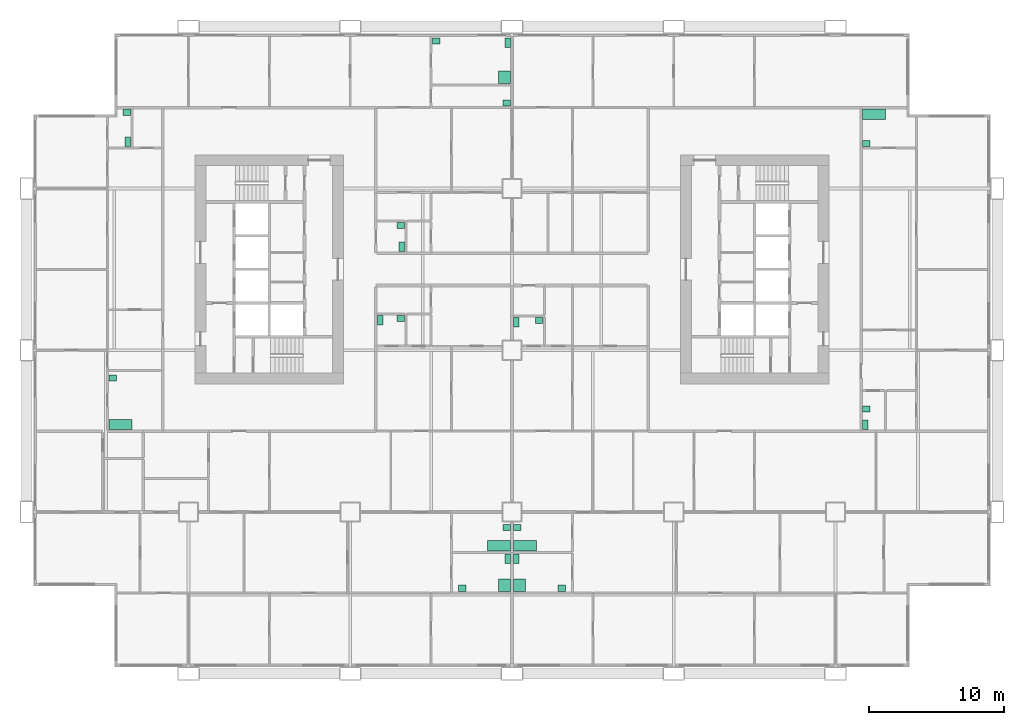
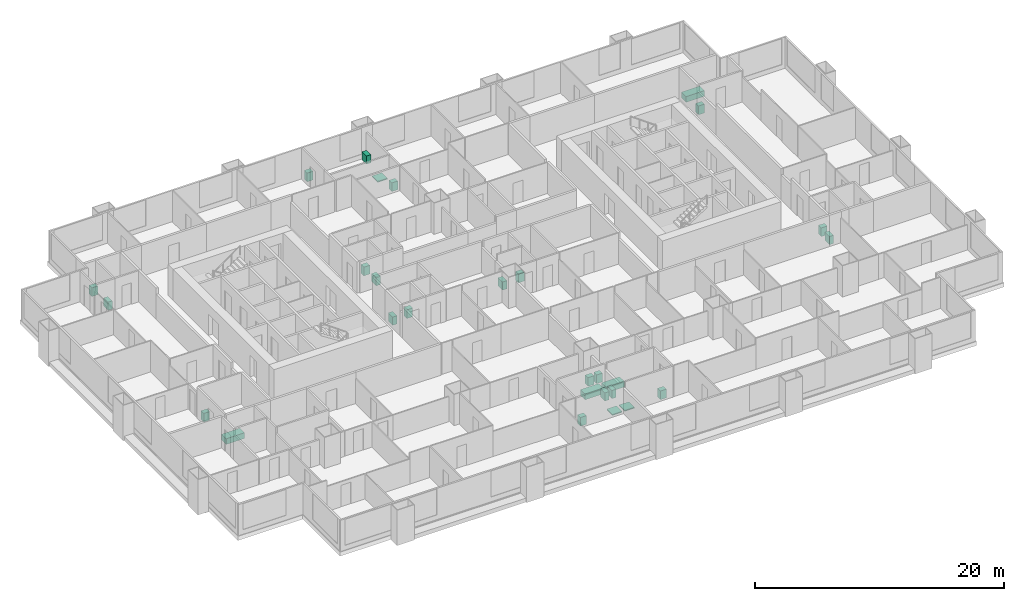
# One storey, part 14 of 14: 28 sanitary terminals.
"""IFC4 building model written with IfcOpenShell, lengths in metres."""

import ifcopenshell
import ifcopenshell.guid

model = None  # the IFC model being written
_history = None  # IfcOwnerHistory: only IFC2X3 demands one
_inside = {}  # id of a spatial element -> (the spatial element, [elements in it])
_under = {}  # id of a project, library or spatial element -> (it, [spatial elements below it])
_declared = {}  # id of a project -> (the project, [libraries it declares])
_typed = {}  # id of a type object -> (the type object, [elements of that type])
_made_of = {}  # id of a material, layer set ... -> (it, [elements and type objects made of it])


def new_model(schema):
    """Start an empty IFC model of exactly this schema.

    Asked for "IFC4X3", IfcOpenShell would pick the latest addendum, in which some entities
    have other attributes; the version numbers below select the first issue.
    IFC2X3 requires an IfcOwnerHistory on every rooted entity: one is made here for all.
    """
    global model, _history
    if schema == "IFC4X3":
        model = ifcopenshell.file(schema_version=(4, 3, 0, 0))
    else:
        model = ifcopenshell.file(schema=schema)
    _inside.clear()
    _under.clear()
    _declared.clear()
    _typed.clear()
    _made_of.clear()
    _history = None
    if model.schema == "IFC2X3":
        org = make("IfcOrganization", Name="unknown")
        user = make(
            "IfcPersonAndOrganization",
            ThePerson=make("IfcPerson", FamilyName="unknown"),
            TheOrganization=org,
        )
        app = make(
            "IfcApplication",
            ApplicationDeveloper=org,
            Version="unknown",
            ApplicationFullName="unknown",
            ApplicationIdentifier="unknown",
        )
        _history = make(
            "IfcOwnerHistory",
            OwningUser=user,
            OwningApplication=app,
            ChangeAction="ADDED",
            CreationDate=0,
        )
    return model


def make(cls, **values):
    """One entity of the class cls with the attributes given. An attribute that is None is left unset."""
    return model.create_entity(
        cls, **{name: value for name, value in values.items() if value is not None}
    )


def rooted(cls, **values):
    """An entity with a GlobalId (a new one), such as an element, a storey or a relation."""
    return make(cls, GlobalId=ifcopenshell.guid.new(), OwnerHistory=_history, **values)


def si_unit(unit_type, name, prefix=None):
    """IfcSIUnit, for example si_unit("LENGTHUNIT", "METRE", prefix="MILLI")."""
    return make("IfcSIUnit", UnitType=unit_type, Prefix=prefix, Name=name)


def assignment(units):
    """IfcUnitAssignment: the units of a project."""
    return None if units is None else make("IfcUnitAssignment", Units=units)


def point(xyz):
    """IfcCartesianPoint."""
    return None if xyz is None else make("IfcCartesianPoint", Coordinates=xyz)


def direction(xyz):
    """IfcDirection."""
    return None if xyz is None else make("IfcDirection", DirectionRatios=xyz)


def frame(location, z_axis=None, x_axis=None):
    """IfcAxis2Placement3D, a coordinate frame: its origin and axes. An axis left out is left unset."""
    return make(
        "IfcAxis2Placement3D",
        Location=point(location),
        Axis=direction(z_axis),
        RefDirection=direction(x_axis),
    )


def frame_2d(location, x_axis=None):
    """IfcAxis2Placement2D, a coordinate frame in the plane: its origin and x axis."""
    return make(
        "IfcAxis2Placement2D", Location=point(location), RefDirection=direction(x_axis)
    )


def origin():
    """The frame at (0, 0, 0) with its axes left unset."""
    return frame((0.0, 0.0, 0.0))


def origin_2d():
    """The frame at (0, 0) in the plane with its x axis left unset."""
    return frame_2d((0.0, 0.0))


def place(relative_to, where):
    """IfcLocalPlacement: puts the frame where relative to a parent placement (None: the world)."""
    return make(
        "IfcLocalPlacement", PlacementRelTo=relative_to, RelativePlacement=where
    )


def context(
    kind, dimensions, precision=None, world=None, true_north=None, identifier=None
):
    """IfcGeometricRepresentationContext, for example the 3D "Model" context."""
    return make(
        "IfcGeometricRepresentationContext",
        ContextIdentifier=identifier,
        ContextType=kind,
        CoordinateSpaceDimension=dimensions,
        Precision=precision,
        WorldCoordinateSystem=world,
        TrueNorth=true_north,
    )


def subcontext(parent, identifier, kind, view, scale=None):
    """IfcGeometricRepresentationSubContext, for example "Body" below "Model"."""
    return make(
        "IfcGeometricRepresentationSubContext",
        ContextIdentifier=identifier,
        ContextType=kind,
        ParentContext=parent,
        TargetScale=scale,
        TargetView=view,
    )


def project(units=None, contexts=None):
    """IfcProject with its units and contexts."""
    return rooted(
        "IfcProject",
        Name="project",
        RepresentationContexts=contexts,
        UnitsInContext=assignment(units),
    )


def spatial(cls, under=None, at=None, **own):
    """A site, building, storey or space (cls), placed at a placement, below another one or the project."""
    s = rooted(cls, ObjectPlacement=at, **own)
    if under is not None:
        _under.setdefault(under.id(), (under, []))[1].append(s)
    return s


def profile(cls, at=None, kind="AREA", **sizes):
    """A parametric profile (cls). Its sizes go by their IFC names, for example OverallWidth=200.0."""
    return make(cls, ProfileType=kind, Position=at, **sizes)


def rectangle(**sizes):
    """IfcRectangleProfileDef."""
    return profile("IfcRectangleProfileDef", **sizes)


def extrude(swept, where, along, depth):
    """IfcExtrudedAreaSolid: the profile swept, set in the frame where, extruded along a direction by depth."""
    return make(
        "IfcExtrudedAreaSolid",
        SweptArea=swept,
        Position=where,
        ExtrudedDirection=direction(along),
        Depth=depth,
    )


def shape(context_of_items, identifier, shape_type, items):
    """IfcShapeRepresentation: the items that make up one representation, for example the "Body"."""
    return make(
        "IfcShapeRepresentation",
        ContextOfItems=context_of_items,
        RepresentationIdentifier=identifier,
        RepresentationType=shape_type,
        Items=items,
    )


def material(Name=None, Category=None):
    """IfcMaterial."""
    return make("IfcMaterial", Name=Name, Category=Category)


def made_of(thing, what):
    """Note that an element or type object is made of a material, layer set ...; save() writes the relation."""
    if what is not None:
        _made_of.setdefault(what.id(), (what, []))[1].append(thing)
    return thing


def type_object(cls, material=None, **own):
    """A type object (cls), such as IfcWallType, which elements share."""
    return made_of(rooted(cls, **own), material)


def element(
    cls,
    number,
    at=None,
    inside=None,
    cuts=None,
    type_object=None,
    material=None,
    context=None,
    identifier="Body",
    shape_type=None,
    held_by="IfcProductDefinitionShape",
    body=None,
    shapes=None,
    **own,
):
    """One element of the class cls, such as IfcWall. Its Tag is "e" and its number.

    at: its placement. inside: the storey or other place that contains it. cuts: it is an
    opening in that element (IfcRelVoidsElement). A single representation is given by context,
    identifier, shape_type and body (its items); several are given by shapes. held_by: the class
    of the entity that holds the representations. save() writes the other relations.
    """
    e = rooted(cls, Tag="e%d" % number, ObjectPlacement=at, **own)
    if body is not None:
        shapes = [shape(context, identifier, shape_type, body)]
    if shapes is not None:
        e.Representation = make(held_by, Representations=shapes)
    if inside is not None:
        _inside.setdefault(inside.id(), (inside, []))[1].append(e)
    if cuts is not None:
        rooted(
            "IfcRelVoidsElement", RelatingBuildingElement=cuts, RelatedOpeningElement=e
        )
    if type_object is not None:
        _typed.setdefault(type_object.id(), (type_object, []))[1].append(e)
    return made_of(e, material)


def aggregate(whole, parts):
    """IfcRelAggregates: a whole, such as a stair, and the parts it consists of."""
    return rooted("IfcRelAggregates", RelatingObject=whole, RelatedObjects=parts)


def save(model, path):
    """Write the relations noted so far, then the file.

    IfcRelAggregates (storeys below a building ...), IfcRelContainedInSpatialStructure (elements
    in a storey), IfcRelDefinesByType, IfcRelAssociatesMaterial and IfcRelDeclares: one each for
    every whole, place, type object, material and project.
    """
    for whole, parts in _under.values():
        aggregate(whole, parts)
    for where, things in _inside.values():
        rooted(
            "IfcRelContainedInSpatialStructure",
            RelatedElements=things,
            RelatingStructure=where,
        )
    for kind, things in _typed.values():
        rooted("IfcRelDefinesByType", RelatedObjects=things, RelatingType=kind)
    for what, things in _made_of.values():
        rooted("IfcRelAssociatesMaterial", RelatedObjects=things, RelatingMaterial=what)
    for by, libraries in _declared.values():
        rooted("IfcRelDeclares", RelatingContext=by, RelatedDefinitions=libraries)
    model.write(path)


model = new_model("IFC4")

# Units and contexts
model_context = context("Model", 3, precision=1e-05, world=origin(), true_north=direction((0.0, 1.0)))
body_context = subcontext(model_context, "Body", "Model", "MODEL_VIEW")
ifc_project = project(units=[si_unit("LENGTHUNIT", "METRE"), si_unit("AREAUNIT", "SQUARE_METRE"), si_unit("VOLUMEUNIT", "CUBIC_METRE"), si_unit("PLANEANGLEUNIT", "RADIAN"), si_unit("MASSUNIT", "GRAM", prefix="KILO")], contexts=[model_context])

# Site, building, storey
site_placement = place(None, origin())
site = spatial("IfcSite", under=ifc_project, at=site_placement, CompositionType="ELEMENT")
building_placement = place(site_placement, origin())
building = spatial("IfcBuilding", under=site, at=building_placement, Name="Kitamizu Gate Tower and Museum", CompositionType="ELEMENT")
storey_placement = place(building_placement, frame((0.0, 0.0, 61.050048828125)))
storey = spatial("IfcBuildingStorey", under=building, at=storey_placement, Name="L14", CompositionType="ELEMENT", Elevation=61.050048828125)

# Sanitary terminals
ifc_material_1 = material(Name="Acrylic")
sanitary_terminal_type_1 = type_object("IfcSanitaryTerminalType", Name="Bath", PredefinedType="BATH", material=ifc_material_1)
for number, where, z_axis, x_axis, name in (
    (1, (35.030029296875, 9.4951171875, 0.0009765625), (0.0, 0.0, 1.0), (1.0, 0.0, 0.0), "Bath Bathroom 14A"),
    (2, (36.969970703125, 9.4951171875, 0.0009765625), (0.0, 0.0, 1.0), (1.0, 0.0, 0.0), "Bath Bathroom 14B"),
    (3, (6.969970703125, 18.4951171875, 0.0009765625), (0.0, 0.0, 1.0), (1.0, 0.0, 0.0), "Bath Bathroom 14C"),
    (4, (62.8701171875, 41.5048828125, 0.0009765625), (0.0, 0.0, 1.0), (1.0, 0.0, 0.0), "Bath Bathroom 14E"),
):
    element("IfcSanitaryTerminal", number, at=place(storey_placement, frame(where, z_axis=z_axis, x_axis=x_axis)), inside=storey, type_object=sanitary_terminal_type_1, Name=name, PredefinedType="BATH", context=body_context, shape_type="SweptSolid", body=[
        extrude(rectangle(XDim=1.699951171875, YDim=0.75, at=origin_2d()), origin(), (0.0, 0.0, 1.0), 0.550048828125),
    ])
ifc_material_2 = material(Name="Acrylic")
sanitary_terminal_type_2 = type_object("IfcSanitaryTerminalType", Name="Shower tray", PredefinedType="SHOWER", material=ifc_material_2)
for number, where, z_axis, x_axis, name in (
    (5, (35.429931640625, 6.570068359375, 0.0009765625), (0.0, 0.0, 1.0), (1.0, 0.0, 0.0), "Shower tray En-suite bathroom 14A"),
    (6, (36.570068359375, 6.570068359375, 0.0009765625), (0.0, 0.0, 1.0), (1.0, 0.0, 0.0), "Shower tray En-suite bathroom 14B"),
    (7, (35.429931640625, 44.25, 0.0009765625), (0.0, 0.0, 1.0), (1.0, 0.0, 0.0), "Shower tray En-suite bathroom 14D"),
):
    element("IfcSanitaryTerminal", number, at=place(storey_placement, frame(where, z_axis=z_axis, x_axis=x_axis)), inside=storey, type_object=sanitary_terminal_type_2, Name=name, PredefinedType="SHOWER", context=body_context, shape_type="SweptSolid", body=[
        extrude(rectangle(XDim=0.89990234375, YDim=0.89990234375, at=origin_2d()), origin(), (0.0, 0.0, 1.0), 0.10009765625),
    ])
ifc_material_3 = material(Name="Vitreous china")
sanitary_terminal_type_3 = type_object("IfcSanitaryTerminalType", Name="Wash hand basin", PredefinedType="WASHHANDBASIN", material=ifc_material_3)
for number, where, z_axis, x_axis, name in (
    (8, (32.294921875, 6.344970703125, 0.0009765625), (0.0, 0.0, 1.0), (1.0, 0.0, 0.0), "Wash hand basin En-suite bathroom 14A"),
    (9, (35.60498046875, 10.85498046875, 0.0009765625), (0.0, 0.0, 1.0), (1.0, 0.0, 0.0), "Wash hand basin Bathroom 14A"),
    (10, (27.7548828125, 26.35498046875, 0.0009765625), (0.0, 0.0, 1.0), (1.0, 0.0, 0.0), "Wash hand basin WC 14A"),
    (11, (39.705078125, 6.344970703125, 0.0009765625), (0.0, 0.0, 1.0), (1.0, 0.0, 0.0), "Wash hand basin En-suite bathroom 14B"),
    (12, (36.39501953125, 10.85498046875, 0.0009765625), (0.0, 0.0, 1.0), (1.0, 0.0, 0.0), "Wash hand basin Bathroom 14B"),
    (13, (38.0048828125, 26.205078125, 0.0009765625), (0.0, 0.0, 1.0), (1.0, 0.0, 0.0), "Wash hand basin WC 14B"),
    (14, (6.39501953125, 21.955078125, 0.0009765625), (0.0, 0.0, 1.0), (1.0, 0.0, 0.0), "Wash hand basin Bathroom 14C"),
    (15, (7.405029296875, 41.655029296875, 0.0009765625), (0.0, 0.0, 1.0), (1.0, 0.0, 0.0), "Wash hand basin WC 14C"),
    (16, (30.39501953125, 46.93505859375, 0.0009765625), (0.0, 0.0, 1.0), (1.0, 0.0, 0.0), "Wash hand basin En-suite bathroom 14D"),
    (17, (35.60498046875, 42.344970703125, 0.0009765625), (0.0, 0.0, 1.0), (1.0, 0.0, 0.0), "Wash hand basin Wash room 14D"),
    (18, (27.7548828125, 33.2548828125, 0.0009765625), (0.0, 0.0, 1.0), (1.0, 0.0, 0.0), "Wash hand basin WC 14D"),
    (19, (62.294921875, 19.655029296875, 0.0009765625), (0.0, 0.0, 1.0), (1.0, 0.0, 0.0), "Wash hand basin WC 14E"),
    (20, (62.294921875, 39.344970703125, 0.0009765625), (0.0, 0.0, 1.0), (1.0, 0.0, 0.0), "Wash hand basin Bathroom 14E"),
):
    element("IfcSanitaryTerminal", number, at=place(storey_placement, frame(where, z_axis=z_axis, x_axis=x_axis)), inside=storey, type_object=sanitary_terminal_type_3, Name=name, PredefinedType="WASHHANDBASIN", context=body_context, shape_type="SweptSolid", body=[
        extrude(rectangle(XDim=0.550048828125, YDim=0.449951171875, at=origin_2d()), origin(), (0.0, 0.0, 1.0), 0.85009765625),
    ])
ifc_material_4 = material(Name="Vitreous china")
sanitary_terminal_type_4 = type_object("IfcSanitaryTerminalType", Name="Water closet", PredefinedType="TOILETPAN", material=ifc_material_4)
for number, where, z_axis, x_axis, name in (
    (21, (35.679931640625, 8.530029296875, 0.0009765625), (0.0, 0.0, 1.0), (1.0, 0.0, 0.0), "Water closet En-suite bathroom 14A"),
    (22, (26.219970703125, 26.22998046875, 0.0009765625), (0.0, 0.0, 1.0), (1.0, 0.0, 0.0), "Water closet WC 14A"),
    (23, (36.320068359375, 8.530029296875, 0.0009765625), (0.0, 0.0, 1.0), (1.0, 0.0, 0.0), "Water closet En-suite bathroom 14B"),
    (24, (36.320068359375, 26.080078125, 0.0009765625), (0.0, 0.0, 1.0), (1.0, 0.0, 0.0), "Water closet WC 14B"),
    (25, (7.47998046875, 39.469970703125, 0.0009765625), (0.0, 0.0, 1.0), (1.0, 0.0, 0.0), "Water closet WC 14C"),
    (26, (35.679931640625, 46.81005859375, 0.0009765625), (0.0, 0.0, 1.0), (1.0, 0.0, 0.0), "Water closet En-suite bathroom 14D"),
    (27, (27.830078125, 31.669921875, 0.0009765625), (0.0, 0.0, 1.0), (1.0, 0.0, 0.0), "Water closet WC 14D"),
    (28, (62.219970703125, 18.469970703125, 0.0009765625), (0.0, 0.0, 1.0), (1.0, 0.0, 0.0), "Water closet WC 14E"),
):
    element("IfcSanitaryTerminal", number, at=place(storey_placement, frame(where, z_axis=z_axis, x_axis=x_axis)), inside=storey, type_object=sanitary_terminal_type_4, Name=name, PredefinedType="TOILETPAN", context=body_context, shape_type="SweptSolid", body=[
        extrude(rectangle(XDim=0.39990234375, YDim=0.699951171875, at=origin_2d()), origin(), (0.0, 0.0, 1.0), 0.800048828125),
    ])

save(model, "model.ifc")
